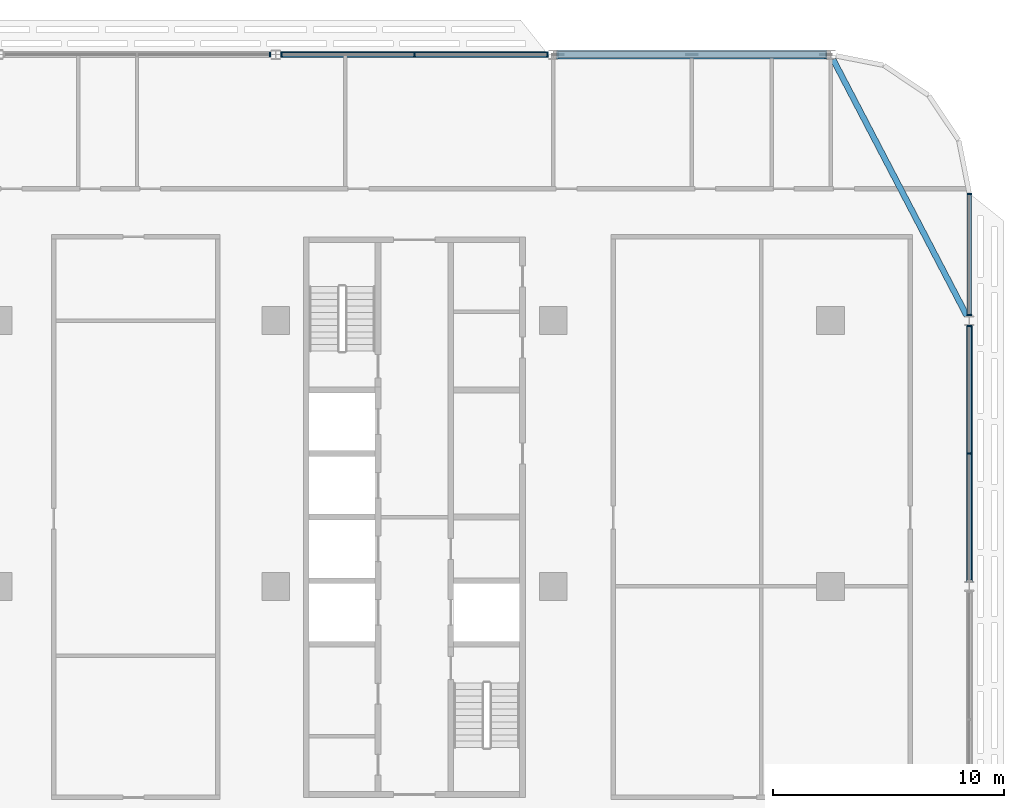
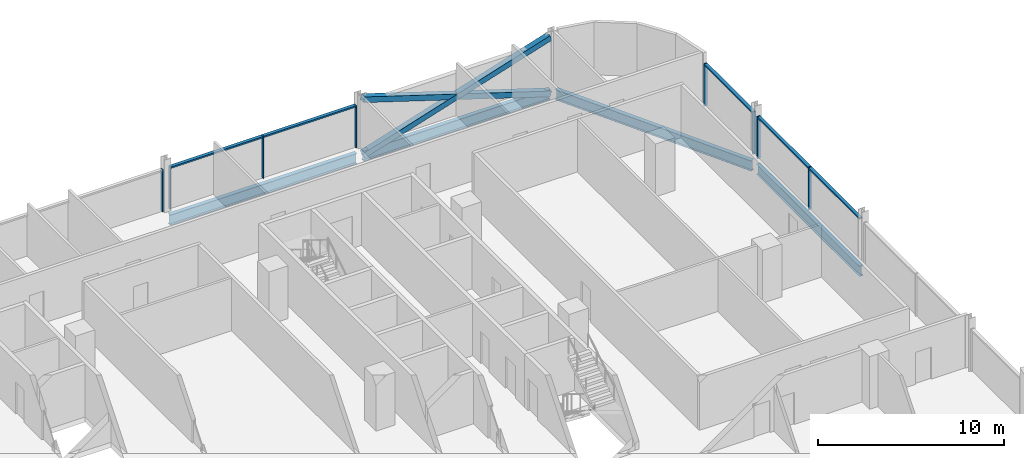
# One storey, part 9 of 27: 16 members, 4 beams, 4 elements without a shape of their own.
"""IFC4 building model written with IfcOpenShell, lengths in metres."""

from ifc_helpers import new_model, si_unit, direction, frame, origin, origin_2d, place, context, subcontext, project, spatial, rectangle, hollow_rectangle, i_section, extrude, material, material_profile, profile_set, type_object, element, aggregate, save


model = new_model("IFC4")

# Units and contexts
model_context = context("Model", 3, precision=1e-05, world=origin(), true_north=direction((0.0, 1.0)))
body_context = subcontext(model_context, "Body", "Model", "MODEL_VIEW")
ifc_project = project(units=[si_unit("LENGTHUNIT", "METRE"), si_unit("AREAUNIT", "SQUARE_METRE"), si_unit("VOLUMEUNIT", "CUBIC_METRE"), si_unit("PLANEANGLEUNIT", "RADIAN"), si_unit("MASSUNIT", "GRAM", prefix="KILO")], contexts=[model_context])

# Site, building, storey
site_placement = place(None, origin())
site = spatial("IfcSite", under=ifc_project, at=site_placement, CompositionType="ELEMENT")
building_placement = place(site_placement, origin())
building = spatial("IfcBuilding", under=site, at=building_placement, Name="Mahtab Terrace Research Tower", CompositionType="ELEMENT")
storey_placement = place(building_placement, frame((0.0, 0.0, 182.0)))
storey = spatial("IfcBuildingStorey", under=building, at=storey_placement, Name="L43", CompositionType="ELEMENT", Elevation=182.0)

# Members
ifc_material_1 = material(Name="Steel ASTM A500 Gr C", Category="steel")
ifc_material_profile_1 = material_profile(ifc_material_1, hollow_rectangle(XDim=0.355712890625, YDim=0.355712890625, WallThickness=0.015869140625, at=origin_2d()), Name="HSS14X14X5/8")
ifc_profile_set_1 = profile_set([ifc_material_profile_1], Name="Steel ASTM A500 Gr C")
member_type_1 = type_object("IfcMemberType", Name="HSS 14x14x5/8 brace XB141458", PredefinedType="BRACE", material=ifc_profile_set_1)
member_1_placement = place(storey_placement, frame((41.796875, 23.0, -0.61474609375), z_axis=(-0.953341454971, 0.0, 0.301894137463), x_axis=(0.0, -1.0, 0.0)))
element("IfcMember", 1, at=member_1_placement, inside=storey, type_object=member_type_1, Name="Exoskeleton brace L43 01 a", PredefinedType="BRACE", context=body_context, shape_type="SweptSolid", body=[
    extrude(hollow_rectangle(XDim=0.355712890625, YDim=0.355712890625, WallThickness=0.015869140625, at=origin_2d()), origin(), (0.0, 0.0, 1.0), 12.1611328125),
])
for number, where, z_axis, x_axis, name in (
    (2, (30.203125, 23.0, -0.61474609375), (0.953341454971, 0.0, 0.301894137463), (0.0, 1.0, 0.0), "Exoskeleton brace L43 01 b1"),
    (3, (36.0, 23.0, 1.220947265625), (0.953341454971, 0.0, 0.301894137463), (0.0, 1.0, 0.0), "Exoskeleton brace L43 01 b2"),
):
    element("IfcMember", number, at=place(storey_placement, frame(where, z_axis=z_axis, x_axis=x_axis)), inside=storey, type_object=member_type_1, Name=name, PredefinedType="BRACE", context=body_context, shape_type="SweptSolid", body=[
        extrude(hollow_rectangle(XDim=0.355712890625, YDim=0.355712890625, WallThickness=0.015869140625, at=origin_2d()), origin(), (0.0, 0.0, 1.0), 6.08056640625),
    ])

# Curtain wall, members
ifc_material_2 = material(Name="Laboratory ribbon curtain wall")
curtain_wall_type = type_object("IfcCurtainWallType", Name="Laboratory ribbon curtain wall", PredefinedType="NOTDEFINED", material=ifc_material_2)
curtain_wall_1_placement = place(storey_placement, origin())
curtain_wall_1 = element("IfcCurtainWall", 4, at=curtain_wall_1_placement, inside=storey, type_object=curtain_wall_type, Name="EN.L43.3.4", PredefinedType="NOTDEFINED")
ifc_material_3 = material(Name="Natural anodised aluminium", Category="aluminium")
ifc_material_profile_2 = material_profile(ifc_material_3, rectangle(XDim=0.199951171875, YDim=0.06494140625, at=origin_2d()), Name="MULLION 65x200")
ifc_profile_set_2 = profile_set([ifc_material_profile_2], Name="Natural anodised aluminium")
member_type_2 = type_object("IfcMemberType", Name="Laboratory ribbon curtain wall mullion", PredefinedType="MULLION", material=ifc_profile_set_2)
member_2_placement = place(storey_placement, frame((29.759521484375, 23.0, 0.0), z_axis=(0.0, 0.0, 1.0), x_axis=(0.0, -1.0, 0.0)))
member_2 = element("IfcMember", 5, at=member_2_placement, type_object=member_type_2, Name="CWL-5 mullion 1", PredefinedType="MULLION", context=body_context, shape_type="SweptSolid", body=[
    extrude(rectangle(XDim=0.199951171875, YDim=0.06494140625, at=origin_2d()), origin(), (0.0, 0.0, 1.0), 2.78173828125),
])
member_3_placement = place(storey_placement, frame((24.0, 23.0, 0.0), z_axis=(0.0, 0.0, 1.0), x_axis=(0.0, -1.0, 0.0)))
member_3 = element("IfcMember", 6, at=member_3_placement, type_object=member_type_2, Name="CWL-5 mullion 2", PredefinedType="MULLION", context=body_context, shape_type="SweptSolid", body=[
    extrude(rectangle(XDim=0.199951171875, YDim=0.06494140625, at=origin_2d()), origin(), (0.0, 0.0, 1.0), 2.78173828125),
])
member_4_placement = place(storey_placement, frame((18.240478515625, 23.0, 0.0), z_axis=(0.0, 0.0, 1.0), x_axis=(0.0, -1.0, 0.0)))
member_4 = element("IfcMember", 7, at=member_4_placement, type_object=member_type_2, Name="CWL-5 mullion 3", PredefinedType="MULLION", context=body_context, shape_type="SweptSolid", body=[
    extrude(rectangle(XDim=0.199951171875, YDim=0.06494140625, at=origin_2d()), origin(), (0.0, 0.0, 1.0), 2.78173828125),
])

# Curtain wall, member
curtain_wall_2_placement = place(storey_placement, origin())
curtain_wall_2 = element("IfcCurtainWall", 8, at=curtain_wall_2_placement, inside=storey, type_object=curtain_wall_type, Name="EN.L43.3.5", PredefinedType="NOTDEFINED")
member_5_placement = place(storey_placement, frame((17.759521484375, 23.0, 0.0), z_axis=(0.0, 0.0, 1.0), x_axis=(0.0, -1.0, 0.0)))
member_5 = element("IfcMember", 9, at=member_5_placement, type_object=member_type_2, Name="CWL-5 mullion 1", PredefinedType="MULLION", context=body_context, shape_type="SweptSolid", body=[
    extrude(rectangle(XDim=0.199951171875, YDim=0.06494140625, at=origin_2d()), origin(), (0.0, 0.0, 1.0), 2.78173828125),
])
aggregate(curtain_wall_2, [member_5])

# Curtain wall, members
curtain_wall_3_placement = place(storey_placement, origin())
curtain_wall_3 = element("IfcCurtainWall", 10, at=curtain_wall_3_placement, inside=storey, type_object=curtain_wall_type, Name="EN.L43.18.36", PredefinedType="NOTDEFINED")
member_6_placement = place(storey_placement, frame((48.0, 5.75, 0.0), z_axis=(0.0, 0.0, 1.0), x_axis=(-1.0, 0.0, 0.0)))
member_6 = element("IfcMember", 11, at=member_6_placement, type_object=member_type_2, Name="CWL-5 mullion 2", PredefinedType="MULLION", context=body_context, shape_type="SweptSolid", body=[
    extrude(rectangle(XDim=0.199951171875, YDim=0.06494140625, at=origin_2d()), origin(), (0.0, 0.0, 1.0), 2.78173828125),
])
member_7_placement = place(storey_placement, frame((48.0, 11.259521484375, 0.0), z_axis=(0.0, 0.0, 1.0), x_axis=(-1.0, 0.0, 0.0)))
member_7 = element("IfcMember", 12, at=member_7_placement, type_object=member_type_2, Name="CWL-5 mullion 3", PredefinedType="MULLION", context=body_context, shape_type="SweptSolid", body=[
    extrude(rectangle(XDim=0.199951171875, YDim=0.06494140625, at=origin_2d()), origin(), (0.0, 0.0, 1.0), 2.78173828125),
])

curtain_wall_4_placement = place(storey_placement, origin())
curtain_wall_4 = element("IfcCurtainWall", 13, at=curtain_wall_4_placement, inside=storey, type_object=curtain_wall_type, Name="EN.L43.18.37", PredefinedType="NOTDEFINED")
member_8_placement = place(storey_placement, frame((48.0, 11.740478515625, 0.0), z_axis=(0.0, 0.0, 1.0), x_axis=(-1.0, 0.0, 0.0)))
member_8 = element("IfcMember", 14, at=member_8_placement, type_object=member_type_2, Name="CWL-5 mullion 1", PredefinedType="MULLION", context=body_context, shape_type="SweptSolid", body=[
    extrude(rectangle(XDim=0.199951171875, YDim=0.06494140625, at=origin_2d()), origin(), (0.0, 0.0, 1.0), 2.78173828125),
])
member_9_placement = place(storey_placement, frame((48.0, 16.967529296875, 0.0), z_axis=(0.0, 0.0, 1.0), x_axis=(-1.0, 0.0, 0.0)))
member_9 = element("IfcMember", 15, at=member_9_placement, type_object=member_type_2, Name="CWL-5 mullion 2", PredefinedType="MULLION", context=body_context, shape_type="SweptSolid", body=[
    extrude(rectangle(XDim=0.199951171875, YDim=0.06494140625, at=origin_2d()), origin(), (0.0, 0.0, 1.0), 2.78173828125),
])

# Member
ifc_material_profile_3 = material_profile(ifc_material_3, rectangle(XDim=0.199951171875, YDim=0.10009765625, at=origin_2d()), Name="TRANSOM 100x200")
ifc_profile_set_3 = profile_set([ifc_material_profile_3], Name="Natural anodised aluminium")
member_type_3 = type_object("IfcMemberType", Name="Laboratory ribbon curtain wall transom", PredefinedType="USERDEFINED", material=ifc_profile_set_3)
member_10_placement = place(storey_placement, frame((29.72705078125, 23.0, 2.731689453125), z_axis=(-1.0, 0.0, 0.0), x_axis=(0.0, -1.0, 0.0)))
member_10 = element("IfcMember", 16, at=member_10_placement, type_object=member_type_3, Name="CWL-5 transom 1", ObjectType="TRANSOM", PredefinedType="USERDEFINED", context=body_context, shape_type="SweptSolid", body=[
    extrude(rectangle(XDim=0.199951171875, YDim=0.10009765625, at=origin_2d()), origin(), (0.0, 0.0, 1.0), 5.694580078125),
])

member_11_placement = place(storey_placement, frame((23.967529296875, 23.0, 2.731689453125), z_axis=(-1.0, 0.0, 0.0), x_axis=(0.0, -1.0, 0.0)))
member_11 = element("IfcMember", 17, at=member_11_placement, type_object=member_type_3, Name="CWL-5 transom 2", ObjectType="TRANSOM", PredefinedType="USERDEFINED", context=body_context, shape_type="SweptSolid", body=[
    extrude(rectangle(XDim=0.199951171875, YDim=0.10009765625, at=origin_2d()), origin(), (0.0, 0.0, 1.0), 5.694580078125),
])

aggregate(curtain_wall_1, [member_2, member_3, member_4, member_10, member_11])

member_12_placement = place(storey_placement, frame((48.0, 0.27294921875, 2.731689453125), z_axis=(0.0, 1.0, 0.0), x_axis=(-1.0, 0.0, 0.0)))
member_12 = element("IfcMember", 18, at=member_12_placement, type_object=member_type_3, Name="CWL-5 transom 1", ObjectType="TRANSOM", PredefinedType="USERDEFINED", context=body_context, shape_type="SweptSolid", body=[
    extrude(rectangle(XDim=0.199951171875, YDim=0.10009765625, at=origin_2d()), origin(), (0.0, 0.0, 1.0), 5.444580078125),
])

member_13_placement = place(storey_placement, frame((48.0, 5.782470703125, 2.731689453125), z_axis=(0.0, 1.0, 0.0), x_axis=(-1.0, 0.0, 0.0)))
member_13 = element("IfcMember", 19, at=member_13_placement, type_object=member_type_3, Name="CWL-5 transom 2", ObjectType="TRANSOM", PredefinedType="USERDEFINED", context=body_context, shape_type="SweptSolid", body=[
    extrude(rectangle(XDim=0.199951171875, YDim=0.10009765625, at=origin_2d()), origin(), (0.0, 0.0, 1.0), 5.444580078125),
])

aggregate(curtain_wall_3, [member_6, member_7, member_12, member_13])

member_14_placement = place(storey_placement, frame((48.0, 11.77294921875, 2.731689453125), z_axis=(0.0, 1.0, 0.0), x_axis=(-1.0, 0.0, 0.0)))
member_14 = element("IfcMember", 20, at=member_14_placement, type_object=member_type_3, Name="CWL-5 transom 1", ObjectType="TRANSOM", PredefinedType="USERDEFINED", context=body_context, shape_type="SweptSolid", body=[
    extrude(rectangle(XDim=0.199951171875, YDim=0.10009765625, at=origin_2d()), origin(), (0.0, 0.0, 1.0), 5.162109375),
])

aggregate(curtain_wall_4, [member_8, member_9, member_14])

# Beams
ifc_material_4 = material(Name="Steel ASTM A992 Gr 50", Category="steel")
ifc_material_profile_4 = material_profile(ifc_material_4, i_section(OverallWidth=0.25390625, OverallDepth=0.67822265625, WebThickness=0.01171875, FlangeThickness=0.016357421875, at=origin_2d()), Name="W27X84")
ifc_profile_set_4 = profile_set([ifc_material_profile_4], Name="Steel ASTM A992 Gr 50")
beam_type = type_object("IfcBeamType", Name="W27x84 beam BS2784", PredefinedType="BEAM", material=ifc_profile_set_4)
for number, where, z_axis, x_axis, name in (
    (21, (41.796875, 23.0, -0.67919921875), (-1.0, 0.0, 0.0), (0.0, -1.0, 0.0), "Spandrel beam L43 01"),
    (22, (29.796875, 23.0, -0.67919921875), (-1.0, 0.0, 0.0), (0.0, -1.0, 0.0), "Spandrel beam L43 02"),
):
    element("IfcBeam", number, at=place(storey_placement, frame(where, z_axis=z_axis, x_axis=x_axis)), inside=storey, type_object=beam_type, Name=name, PredefinedType="BEAM", context=body_context, shape_type="SweptSolid", body=[
        extrude(i_section(OverallWidth=0.25390625, OverallDepth=0.67822265625, WebThickness=0.01171875, FlangeThickness=0.016357421875, at=origin_2d()), origin(), (0.0, 0.0, 1.0), 11.59375),
    ])
beam_1_placement = place(storey_placement, frame((48.0, 0.208251953125, -0.67919921875), z_axis=(0.0, 1.0, 0.0), x_axis=(-1.0, 0.0, 0.0)))
element("IfcBeam", 23, at=beam_1_placement, inside=storey, type_object=beam_type, Name="Spandrel beam L43 21", PredefinedType="BEAM", context=body_context, shape_type="SweptSolid", body=[
    extrude(i_section(OverallWidth=0.25390625, OverallDepth=0.67822265625, WebThickness=0.01171875, FlangeThickness=0.016357421875, at=origin_2d()), origin(), (0.0, 0.0, 1.0), 11.08349609375),
])
beam_2_placement = place(storey_placement, frame((47.891357421875, 11.708251953125, -0.67919921875), z_axis=(-0.462567341525, 0.886584149731, 0.0), x_axis=(-0.886584149731, -0.462567341525, 0.0)))
element("IfcBeam", 24, at=beam_2_placement, inside=storey, type_object=beam_type, Name="Spandrel beam L43 22", PredefinedType="BEAM", context=body_context, shape_type="SweptSolid", body=[
    extrude(i_section(OverallWidth=0.25390625, OverallDepth=0.67822265625, WebThickness=0.01171875, FlangeThickness=0.016357421875, at=origin_2d()), origin(), (0.0, 0.0, 1.0), 12.50146484375),
])

save(model, "model.ifc")
